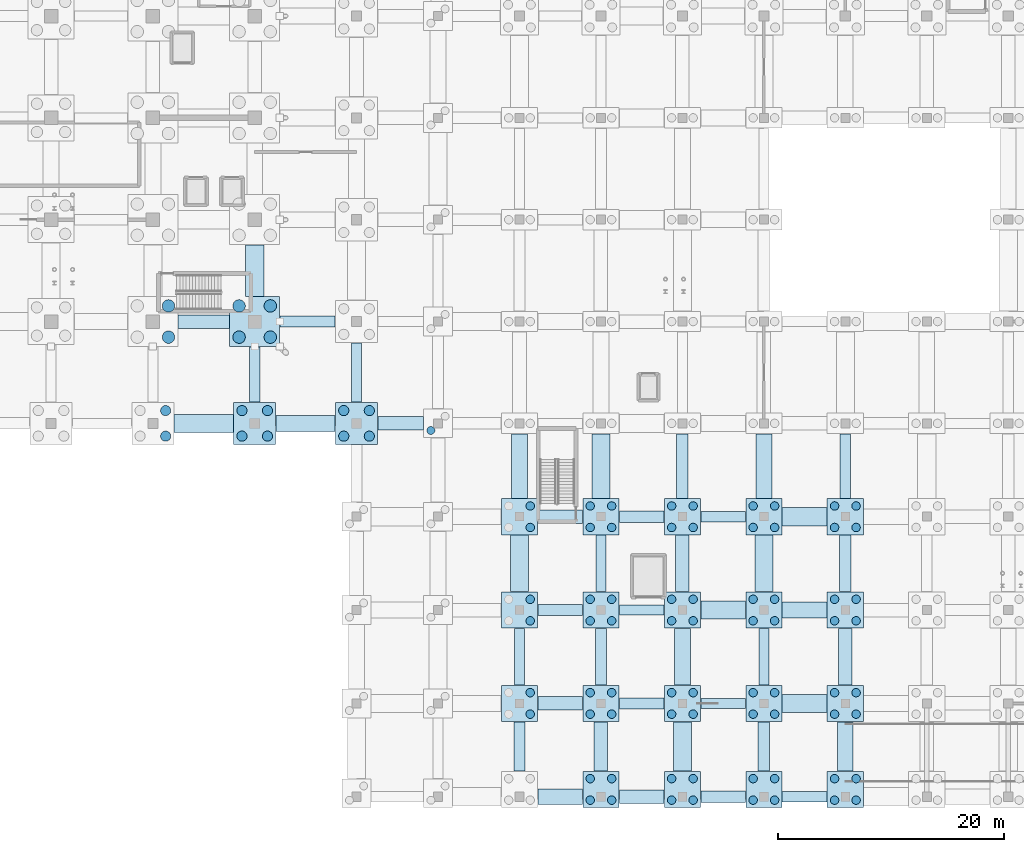
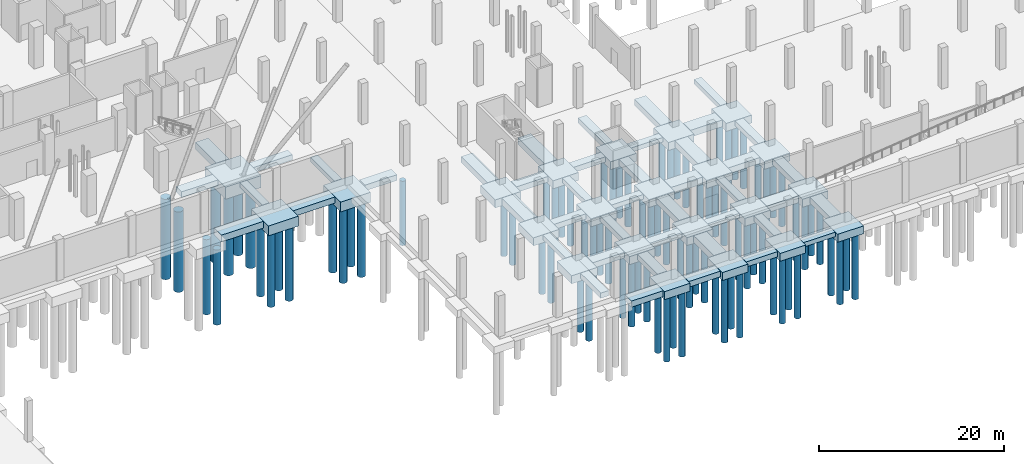
# One storey, part 3 of 42: 87 piles, 66 footings.
"""IFC4 building model written with IfcOpenShell, lengths in metres."""

from ifc_helpers import new_model, si_unit, direction, frame, origin, origin_2d, place, context, subcontext, project, spatial, rectangle, circle, extrude, material, material_profile, profile_set, type_object, element, save


model = new_model("IFC4")

# Units and contexts
model_context = context("Model", 3, precision=1e-05, world=origin(), true_north=direction((0.0, 1.0)))
body_context = subcontext(model_context, "Body", "Model", "MODEL_VIEW")
ifc_project = project(units=[si_unit("LENGTHUNIT", "METRE"), si_unit("AREAUNIT", "SQUARE_METRE"), si_unit("VOLUMEUNIT", "CUBIC_METRE"), si_unit("PLANEANGLEUNIT", "RADIAN"), si_unit("MASSUNIT", "GRAM", prefix="KILO")], contexts=[model_context])

# Site, building, storey
site_placement = place(None, origin())
site = spatial("IfcSite", under=ifc_project, at=site_placement, CompositionType="ELEMENT")
building_placement = place(site_placement, origin())
building = spatial("IfcBuilding", under=site, at=building_placement, Name="Sundgate Opera House", CompositionType="ELEMENT")
storey_placement = place(building_placement, frame((0.0, 0.0, -5.39990234375)))
storey = spatial("IfcBuildingStorey", under=building, at=storey_placement, Name="B01", CompositionType="ELEMENT", Elevation=-5.39990234375)

# Footings
ifc_material_1 = material(Name="Concrete C40/50", Category="concrete")
footing_type_1 = type_object("IfcFootingType", Name="FT-PC-3200x3200x1050", PredefinedType="PILE_CAP", material=ifc_material_1)
for number, where, z_axis, x_axis, name in (
    (1, (95.39990234375, 8.25, -1.85009765625), (0.0, 0.0, 1.0), (1.0, 0.0, 0.0), "Pile Cap F0145"),
    (2, (95.39990234375, 16.5, -1.85009765625), (0.0, 0.0, 1.0), (1.0, 0.0, 0.0), "Pile Cap F0146"),
    (3, (95.39990234375, 24.75, -1.85009765625), (0.0, 0.0, 1.0), (1.0, 0.0, 0.0), "Pile Cap F0147"),
    (4, (102.60009765625, 0.64990234375, -1.85009765625), (0.0, 0.0, 1.0), (1.0, 0.0, 0.0), "Pile Cap F0159"),
    (5, (102.60009765625, 8.25, -1.85009765625), (0.0, 0.0, 1.0), (1.0, 0.0, 0.0), "Pile Cap F0160"),
    (6, (102.60009765625, 16.5, -1.85009765625), (0.0, 0.0, 1.0), (1.0, 0.0, 0.0), "Pile Cap F0161"),
    (7, (102.60009765625, 24.75, -1.85009765625), (0.0, 0.0, 1.0), (1.0, 0.0, 0.0), "Pile Cap F0162"),
    (8, (109.800048828125, 0.64990234375, -1.85009765625), (0.0, 0.0, 1.0), (1.0, 0.0, 0.0), "Pile Cap F0174"),
    (9, (109.800048828125, 8.25, -1.85009765625), (0.0, 0.0, 1.0), (1.0, 0.0, 0.0), "Pile Cap F0175"),
    (10, (109.800048828125, 16.5, -1.85009765625), (0.0, 0.0, 1.0), (1.0, 0.0, 0.0), "Pile Cap F0176"),
    (11, (109.800048828125, 24.75, -1.85009765625), (0.0, 0.0, 1.0), (1.0, 0.0, 0.0), "Pile Cap F0177"),
    (12, (117.0, 0.64990234375, -1.85009765625), (0.0, 0.0, 1.0), (1.0, 0.0, 0.0), "Pile Cap F0189"),
    (13, (117.0, 8.25, -1.85009765625), (0.0, 0.0, 1.0), (1.0, 0.0, 0.0), "Pile Cap F0190"),
    (14, (117.0, 16.5, -1.85009765625), (0.0, 0.0, 1.0), (1.0, 0.0, 0.0), "Pile Cap F0191"),
    (15, (117.0, 24.75, -1.85009765625), (0.0, 0.0, 1.0), (1.0, 0.0, 0.0), "Pile Cap F0192"),
    (16, (124.199951171875, 0.64990234375, -1.85009765625), (0.0, 0.0, 1.0), (1.0, 0.0, 0.0), "Pile Cap F0204"),
    (17, (124.199951171875, 8.25, -1.85009765625), (0.0, 0.0, 1.0), (1.0, 0.0, 0.0), "Pile Cap F0205"),
    (18, (124.199951171875, 16.5, -1.85009765625), (0.0, 0.0, 1.0), (1.0, 0.0, 0.0), "Pile Cap F0206"),
    (19, (124.199951171875, 24.75, -1.85009765625), (0.0, 0.0, 1.0), (1.0, 0.0, 0.0), "Pile Cap F0207"),
):
    element("IfcFooting", number, at=place(storey_placement, frame(where, z_axis=z_axis, x_axis=x_axis)), inside=storey, type_object=footing_type_1, Name=name, PredefinedType="PILE_CAP", context=body_context, shape_type="SweptSolid", body=[
        extrude(rectangle(XDim=3.199951171875, YDim=3.199951171875, at=origin_2d()), origin(), (0.0, 0.0, 1.0), 1.050048828125),
    ])
ifc_material_2 = material(Name="Concrete C40/50", Category="concrete")
footing_type_2 = type_object("IfcFootingType", Name="FT-PC-3720x3720x1300", PredefinedType="PILE_CAP", material=ifc_material_2)
for number, where, z_axis, x_axis, name in (
    (20, (72.0, 33.0, -2.10009765625), (0.0, 0.0, 1.0), (1.0, 0.0, 0.0), "Pile Cap F0103"),
    (21, (81.0, 33.0, -2.10009765625), (0.0, 0.0, 1.0), (1.0, 0.0, 0.0), "Pile Cap F0118"),
):
    element("IfcFooting", number, at=place(storey_placement, frame(where, z_axis=z_axis, x_axis=x_axis)), inside=storey, type_object=footing_type_2, Name=name, PredefinedType="PILE_CAP", context=body_context, shape_type="SweptSolid", body=[
        extrude(rectangle(XDim=3.719970703125, YDim=3.719970703125, at=origin_2d()), origin(), (0.0, 0.0, 1.0), 1.300048828125),
    ])
ifc_material_3 = material(Name="Concrete C40/50", Category="concrete")
footing_type_3 = type_object("IfcFootingType", Name="FT-PC-4420x4420x1600", PredefinedType="PILE_CAP", material=ifc_material_3)
footing_1_placement = place(storey_placement, frame((72.0, 42.0, -2.400146484375), z_axis=(0.0, 0.0, 1.0), x_axis=(1.0, 0.0, 0.0)))
element("IfcFooting", 22, at=footing_1_placement, inside=storey, type_object=footing_type_3, Name="Pile Cap F0104", PredefinedType="PILE_CAP", context=body_context, shape_type="SweptSolid", body=[
    extrude(rectangle(XDim=4.419921875, YDim=4.419921875, at=origin_2d()), origin(), (0.0, 0.0, 1.0), 1.60009765625),
])
ifc_material_4 = material(Name="Concrete C35/45", Category="concrete")
footing_type_4 = type_object("IfcFootingType", Name="FT-STR-1000x700", PredefinedType="STRIP_FOOTING", material=ifc_material_4)
footing_2_placement = place(storey_placement, frame((95.39990234375, 4.449951171875, -1.5), z_axis=(0.0, 0.0, 1.0), x_axis=(1.0, 0.0, 0.0)))
element("IfcFooting", 23, at=footing_2_placement, inside=storey, type_object=footing_type_4, Name="Strip Footing F0422", PredefinedType="STRIP_FOOTING", context=body_context, shape_type="SweptSolid", body=[
    extrude(rectangle(XDim=1.0, YDim=4.35009765625, at=origin_2d()), origin(), (0.0, 0.0, 1.0), 0.699951171875),
])
footing_3_placement = place(storey_placement, frame((102.60009765625, 12.375, -1.5), z_axis=(0.0, 0.0, 1.0), x_axis=(1.0, 0.0, 0.0)))
element("IfcFooting", 24, at=footing_3_placement, inside=storey, type_object=footing_type_4, Name="Strip Footing F0437", PredefinedType="STRIP_FOOTING", context=body_context, shape_type="SweptSolid", body=[
    extrude(rectangle(XDim=1.0, YDim=5.0, at=origin_2d()), origin(), (0.0, 0.0, 1.0), 0.699951171875),
])
footing_4_placement = place(storey_placement, frame((109.800048828125, 29.22509765625, -1.5), z_axis=(0.0, 0.0, 1.0), x_axis=(1.0, 0.0, 0.0)))
element("IfcFooting", 25, at=footing_4_placement, inside=storey, type_object=footing_type_4, Name="Strip Footing F0452", PredefinedType="STRIP_FOOTING", context=body_context, shape_type="SweptSolid", body=[
    extrude(rectangle(XDim=1.0, YDim=5.699951171875, at=origin_2d()), origin(), (0.0, 0.0, 1.0), 0.699951171875),
])
footing_5_placement = place(storey_placement, frame((117.0, 4.449951171875, -1.5), z_axis=(0.0, 0.0, 1.0), x_axis=(1.0, 0.0, 0.0)))
element("IfcFooting", 26, at=footing_5_placement, inside=storey, type_object=footing_type_4, Name="Strip Footing F0462", PredefinedType="STRIP_FOOTING", context=body_context, shape_type="SweptSolid", body=[
    extrude(rectangle(XDim=1.0, YDim=4.35009765625, at=origin_2d()), origin(), (0.0, 0.0, 1.0), 0.699951171875),
])
footing_6_placement = place(storey_placement, frame((124.199951171875, 20.625, -1.5), z_axis=(0.0, 0.0, 1.0), x_axis=(1.0, 0.0, 0.0)))
element("IfcFooting", 27, at=footing_6_placement, inside=storey, type_object=footing_type_4, Name="Strip Footing F0477", PredefinedType="STRIP_FOOTING", context=body_context, shape_type="SweptSolid", body=[
    extrude(rectangle(XDim=1.0, YDim=5.0, at=origin_2d()), origin(), (0.0, 0.0, 1.0), 0.699951171875),
])
for number, where, z_axis, x_axis, name in (
    (28, (113.39990234375, 0.0, -1.5), (0.0, 0.0, 1.0), (1.0, 0.0, 0.0), "Strip Footing F0547"),
    (29, (106.199951171875, 8.25, -1.5), (0.0, 0.0, 1.0), (1.0, 0.0, 0.0), "Strip Footing F0562"),
    (30, (99.0, 16.5, -1.5), (0.0, 0.0, 1.0), (1.0, 0.0, 0.0), "Strip Footing F0577"),
    (31, (106.199951171875, 24.75, -1.5), (0.0, 0.0, 1.0), (1.0, 0.0, 0.0), "Strip Footing F0592"),
):
    element("IfcFooting", number, at=place(storey_placement, frame(where, z_axis=z_axis, x_axis=x_axis)), inside=storey, type_object=footing_type_4, Name=name, PredefinedType="STRIP_FOOTING", context=body_context, shape_type="SweptSolid", body=[
        extrude(rectangle(XDim=3.949951171875, YDim=1.0, at=origin_2d()), origin(), (0.0, 0.0, 1.0), 0.699951171875),
    ])
footing_7_placement = place(storey_placement, frame((76.675048828125, 42.0, -1.5), z_axis=(0.0, 0.0, 1.0), x_axis=(1.0, 0.0, 0.0)))
element("IfcFooting", 32, at=footing_7_placement, inside=storey, type_object=footing_type_4, Name="Strip Footing F0632", PredefinedType="STRIP_FOOTING", context=body_context, shape_type="SweptSolid", body=[
    extrude(rectangle(XDim=4.8798828125, YDim=1.0, at=origin_2d()), origin(), (0.0, 0.0, 1.0), 0.699951171875),
])
ifc_material_5 = material(Name="Concrete C35/45", Category="concrete")
footing_type_5 = type_object("IfcFootingType", Name="FT-STR-1200x750", PredefinedType="STRIP_FOOTING", material=ifc_material_5)
footing_8_placement = place(storey_placement, frame((102.60009765625, 4.449951171875, -1.550048828125), z_axis=(0.0, 0.0, 1.0), x_axis=(1.0, 0.0, 0.0)))
element("IfcFooting", 33, at=footing_8_placement, inside=storey, type_object=footing_type_5, Name="Strip Footing F0436", PredefinedType="STRIP_FOOTING", context=body_context, shape_type="SweptSolid", body=[
    extrude(rectangle(XDim=1.199951171875, YDim=4.35009765625, at=origin_2d()), origin(), (0.0, 0.0, 1.0), 0.75),
])
for number, where, z_axis, x_axis, name in (
    (34, (109.800048828125, 20.625, -1.550048828125), (0.0, 0.0, 1.0), (1.0, 0.0, 0.0), "Strip Footing F0451"),
    (35, (124.199951171875, 12.375, -1.550048828125), (0.0, 0.0, 1.0), (1.0, 0.0, 0.0), "Strip Footing F0476"),
):
    element("IfcFooting", number, at=place(storey_placement, frame(where, z_axis=z_axis, x_axis=x_axis)), inside=storey, type_object=footing_type_5, Name=name, PredefinedType="STRIP_FOOTING", context=body_context, shape_type="SweptSolid", body=[
        extrude(rectangle(XDim=1.199951171875, YDim=5.0, at=origin_2d()), origin(), (0.0, 0.0, 1.0), 0.75),
    ])
for number, where, z_axis, x_axis, name in (
    (36, (106.199951171875, 0.0, -1.550048828125), (0.0, 0.0, 1.0), (1.0, 0.0, 0.0), "Strip Footing F0546"),
    (37, (99.0, 8.25, -1.550048828125), (0.0, 0.0, 1.0), (1.0, 0.0, 0.0), "Strip Footing F0561"),
    (38, (99.0, 24.75, -1.550048828125), (0.0, 0.0, 1.0), (1.0, 0.0, 0.0), "Strip Footing F0591"),
):
    element("IfcFooting", number, at=place(storey_placement, frame(where, z_axis=z_axis, x_axis=x_axis)), inside=storey, type_object=footing_type_5, Name=name, PredefinedType="STRIP_FOOTING", context=body_context, shape_type="SweptSolid", body=[
        extrude(rectangle(XDim=3.949951171875, YDim=1.199951171875, at=origin_2d()), origin(), (0.0, 0.0, 1.0), 0.75),
    ])
footing_9_placement = place(storey_placement, frame((84.89501953125, 33.0, -1.400146484375), z_axis=(0.0, 0.0, 1.0), x_axis=(1.0, 0.0, 0.0)))
element("IfcFooting", 39, at=footing_9_placement, inside=storey, type_object=footing_type_5, Name="Strip Footing F0611", PredefinedType="STRIP_FOOTING", context=body_context, shape_type="SweptSolid", body=[
    extrude(rectangle(XDim=4.02001953125, YDim=1.199951171875, at=origin_2d()), origin(), (0.0, 0.0, 1.0), 0.75),
])
footing_10_placement = place(storey_placement, frame((67.5, 42.0, -1.550048828125), z_axis=(0.0, 0.0, 1.0), x_axis=(1.0, 0.0, 0.0)))
element("IfcFooting", 40, at=footing_10_placement, inside=storey, type_object=footing_type_5, Name="Strip Footing F0631", PredefinedType="STRIP_FOOTING", context=body_context, shape_type="SweptSolid", body=[
    extrude(rectangle(XDim=4.530029296875, YDim=1.199951171875, at=origin_2d()), origin(), (0.0, 0.0, 1.0), 0.75),
])
ifc_material_6 = material(Name="Concrete C35/45", Category="concrete")
footing_type_6 = type_object("IfcFootingType", Name="FT-STR-1400x800", PredefinedType="STRIP_FOOTING", material=ifc_material_6)
footing_11_placement = place(storey_placement, frame((95.39990234375, 29.22509765625, -1.60009765625), z_axis=(0.0, 0.0, 1.0), x_axis=(1.0, 0.0, 0.0)))
element("IfcFooting", 41, at=footing_11_placement, inside=storey, type_object=footing_type_6, Name="Strip Footing F0425", PredefinedType="STRIP_FOOTING", context=body_context, shape_type="SweptSolid", body=[
    extrude(rectangle(XDim=1.39990234375, YDim=5.699951171875, at=origin_2d()), origin(), (0.0, 0.0, 1.0), 0.800048828125),
])
footing_12_placement = place(storey_placement, frame((109.800048828125, 12.375, -1.60009765625), z_axis=(0.0, 0.0, 1.0), x_axis=(1.0, 0.0, 0.0)))
element("IfcFooting", 42, at=footing_12_placement, inside=storey, type_object=footing_type_6, Name="Strip Footing F0450", PredefinedType="STRIP_FOOTING", context=body_context, shape_type="SweptSolid", body=[
    extrude(rectangle(XDim=1.39990234375, YDim=5.0, at=origin_2d()), origin(), (0.0, 0.0, 1.0), 0.800048828125),
])
footing_13_placement = place(storey_placement, frame((117.0, 29.22509765625, -1.60009765625), z_axis=(0.0, 0.0, 1.0), x_axis=(1.0, 0.0, 0.0)))
element("IfcFooting", 43, at=footing_13_placement, inside=storey, type_object=footing_type_6, Name="Strip Footing F0465", PredefinedType="STRIP_FOOTING", context=body_context, shape_type="SweptSolid", body=[
    extrude(rectangle(XDim=1.39990234375, YDim=5.699951171875, at=origin_2d()), origin(), (0.0, 0.0, 1.0), 0.800048828125),
])
footing_14_placement = place(storey_placement, frame((124.199951171875, 4.449951171875, -1.60009765625), z_axis=(0.0, 0.0, 1.0), x_axis=(1.0, 0.0, 0.0)))
element("IfcFooting", 44, at=footing_14_placement, inside=storey, type_object=footing_type_6, Name="Strip Footing F0475", PredefinedType="STRIP_FOOTING", context=body_context, shape_type="SweptSolid", body=[
    extrude(rectangle(XDim=1.39990234375, YDim=4.35009765625, at=origin_2d()), origin(), (0.0, 0.0, 1.0), 0.800048828125),
])
for number, where, z_axis, x_axis, name in (
    (45, (99.0, 0.0, -1.60009765625), (0.0, 0.0, 1.0), (1.0, 0.0, 0.0), "Strip Footing F0545"),
    (46, (120.60009765625, 16.5, -1.60009765625), (0.0, 0.0, 1.0), (1.0, 0.0, 0.0), "Strip Footing F0580"),
):
    element("IfcFooting", number, at=place(storey_placement, frame(where, z_axis=z_axis, x_axis=x_axis)), inside=storey, type_object=footing_type_6, Name=name, PredefinedType="STRIP_FOOTING", context=body_context, shape_type="SweptSolid", body=[
        extrude(rectangle(XDim=3.949951171875, YDim=1.39990234375, at=origin_2d()), origin(), (0.0, 0.0, 1.0), 0.800048828125),
    ])
footing_15_placement = place(storey_placement, frame((76.5, 33.0, -1.60009765625), z_axis=(0.0, 0.0, 1.0), x_axis=(1.0, 0.0, 0.0)))
element("IfcFooting", 47, at=footing_15_placement, inside=storey, type_object=footing_type_6, Name="Strip Footing F0610", PredefinedType="STRIP_FOOTING", context=body_context, shape_type="SweptSolid", body=[
    extrude(rectangle(XDim=5.22998046875, YDim=1.39990234375, at=origin_2d()), origin(), (0.0, 0.0, 1.0), 0.800048828125),
])
ifc_material_7 = material(Name="Concrete C35/45", Category="concrete")
footing_type_7 = type_object("IfcFootingType", Name="FT-STR-1600x900", PredefinedType="STRIP_FOOTING", material=ifc_material_7)
footing_16_placement = place(storey_placement, frame((72.0, 46.5, -1.699951171875), z_axis=(0.0, 0.0, 1.0), x_axis=(1.0, 0.0, 0.0)))
element("IfcFooting", 48, at=footing_16_placement, inside=storey, type_object=footing_type_7, Name="Strip Footing F0389", PredefinedType="STRIP_FOOTING", context=body_context, shape_type="SweptSolid", body=[
    extrude(rectangle(XDim=1.60009765625, YDim=4.530029296875, at=origin_2d()), origin(), (0.0, 0.0, 1.0), 0.89990234375),
])
footing_17_placement = place(storey_placement, frame((95.39990234375, 20.625, -1.699951171875), z_axis=(0.0, 0.0, 1.0), x_axis=(1.0, 0.0, 0.0)))
element("IfcFooting", 49, at=footing_17_placement, inside=storey, type_object=footing_type_7, Name="Strip Footing F0424", PredefinedType="STRIP_FOOTING", context=body_context, shape_type="SweptSolid", body=[
    extrude(rectangle(XDim=1.60009765625, YDim=5.0, at=origin_2d()), origin(), (0.0, 0.0, 1.0), 0.89990234375),
])
footing_18_placement = place(storey_placement, frame((102.60009765625, 29.22509765625, -1.699951171875), z_axis=(0.0, 0.0, 1.0), x_axis=(1.0, 0.0, 0.0)))
element("IfcFooting", 50, at=footing_18_placement, inside=storey, type_object=footing_type_7, Name="Strip Footing F0439", PredefinedType="STRIP_FOOTING", context=body_context, shape_type="SweptSolid", body=[
    extrude(rectangle(XDim=1.60009765625, YDim=5.699951171875, at=origin_2d()), origin(), (0.0, 0.0, 1.0), 0.89990234375),
])
footing_19_placement = place(storey_placement, frame((109.800048828125, 4.449951171875, -1.699951171875), z_axis=(0.0, 0.0, 1.0), x_axis=(1.0, 0.0, 0.0)))
element("IfcFooting", 51, at=footing_19_placement, inside=storey, type_object=footing_type_7, Name="Strip Footing F0449", PredefinedType="STRIP_FOOTING", context=body_context, shape_type="SweptSolid", body=[
    extrude(rectangle(XDim=1.60009765625, YDim=4.35009765625, at=origin_2d()), origin(), (0.0, 0.0, 1.0), 0.89990234375),
])
footing_20_placement = place(storey_placement, frame((117.0, 20.625, -1.699951171875), z_axis=(0.0, 0.0, 1.0), x_axis=(1.0, 0.0, 0.0)))
element("IfcFooting", 52, at=footing_20_placement, inside=storey, type_object=footing_type_7, Name="Strip Footing F0464", PredefinedType="STRIP_FOOTING", context=body_context, shape_type="SweptSolid", body=[
    extrude(rectangle(XDim=1.60009765625, YDim=5.0, at=origin_2d()), origin(), (0.0, 0.0, 1.0), 0.89990234375),
])
for number, where, z_axis, x_axis, name in (
    (53, (120.60009765625, 8.25, -1.699951171875), (0.0, 0.0, 1.0), (1.0, 0.0, 0.0), "Strip Footing F0564"),
    (54, (113.39990234375, 16.5, -1.699951171875), (0.0, 0.0, 1.0), (1.0, 0.0, 0.0), "Strip Footing F0579"),
    (55, (120.60009765625, 24.75, -1.699951171875), (0.0, 0.0, 1.0), (1.0, 0.0, 0.0), "Strip Footing F0594"),
):
    element("IfcFooting", number, at=place(storey_placement, frame(where, z_axis=z_axis, x_axis=x_axis)), inside=storey, type_object=footing_type_7, Name=name, PredefinedType="STRIP_FOOTING", context=body_context, shape_type="SweptSolid", body=[
        extrude(rectangle(XDim=3.949951171875, YDim=1.60009765625, at=origin_2d()), origin(), (0.0, 0.0, 1.0), 0.89990234375),
    ])
footing_21_placement = place(storey_placement, frame((67.5, 33.0, -1.699951171875), z_axis=(0.0, 0.0, 1.0), x_axis=(1.0, 0.0, 0.0)))
element("IfcFooting", 56, at=footing_21_placement, inside=storey, type_object=footing_type_7, Name="Strip Footing F0609", PredefinedType="STRIP_FOOTING", context=body_context, shape_type="SweptSolid", body=[
    extrude(rectangle(XDim=5.22998046875, YDim=1.60009765625, at=origin_2d()), origin(), (0.0, 0.0, 1.0), 0.89990234375),
])
ifc_material_8 = material(Name="Concrete C35/45", Category="concrete")
footing_type_8 = type_object("IfcFootingType", Name="FT-STR-900x600", PredefinedType="STRIP_FOOTING", material=ifc_material_8)
footing_22_placement = place(storey_placement, frame((72.0, 37.324951171875, -1.400146484375), z_axis=(0.0, 0.0, 1.0), x_axis=(1.0, 0.0, 0.0)))
element("IfcFooting", 57, at=footing_22_placement, inside=storey, type_object=footing_type_8, Name="Strip Footing F0388", PredefinedType="STRIP_FOOTING", context=body_context, shape_type="SweptSolid", body=[
    extrude(rectangle(XDim=0.89990234375, YDim=4.8798828125, at=origin_2d()), origin(), (0.0, 0.0, 1.0), 0.60009765625),
])
footing_23_placement = place(storey_placement, frame((81.0, 37.5, -1.400146484375), z_axis=(0.0, 0.0, 1.0), x_axis=(1.0, 0.0, 0.0)))
element("IfcFooting", 58, at=footing_23_placement, inside=storey, type_object=footing_type_8, Name="Strip Footing F0398", PredefinedType="STRIP_FOOTING", context=body_context, shape_type="SweptSolid", body=[
    extrude(rectangle(XDim=0.89990234375, YDim=5.22998046875, at=origin_2d()), origin(), (0.0, 0.0, 1.0), 0.60009765625),
])
for number, where, z_axis, x_axis, name in (
    (59, (95.39990234375, 12.375, -1.400146484375), (0.0, 0.0, 1.0), (1.0, 0.0, 0.0), "Strip Footing F0423"),
    (60, (102.60009765625, 20.625, -1.400146484375), (0.0, 0.0, 1.0), (1.0, 0.0, 0.0), "Strip Footing F0438"),
    (61, (117.0, 12.375, -1.400146484375), (0.0, 0.0, 1.0), (1.0, 0.0, 0.0), "Strip Footing F0463"),
):
    element("IfcFooting", number, at=place(storey_placement, frame(where, z_axis=z_axis, x_axis=x_axis)), inside=storey, type_object=footing_type_8, Name=name, PredefinedType="STRIP_FOOTING", context=body_context, shape_type="SweptSolid", body=[
        extrude(rectangle(XDim=0.89990234375, YDim=5.0, at=origin_2d()), origin(), (0.0, 0.0, 1.0), 0.60009765625),
    ])
footing_24_placement = place(storey_placement, frame((124.199951171875, 29.22509765625, -1.400146484375), z_axis=(0.0, 0.0, 1.0), x_axis=(1.0, 0.0, 0.0)))
element("IfcFooting", 62, at=footing_24_placement, inside=storey, type_object=footing_type_8, Name="Strip Footing F0478", PredefinedType="STRIP_FOOTING", context=body_context, shape_type="SweptSolid", body=[
    extrude(rectangle(XDim=0.89990234375, YDim=5.699951171875, at=origin_2d()), origin(), (0.0, 0.0, 1.0), 0.60009765625),
])
for number, where, z_axis, x_axis, name in (
    (63, (120.60009765625, 0.0, -1.400146484375), (0.0, 0.0, 1.0), (1.0, 0.0, 0.0), "Strip Footing F0548"),
    (64, (113.39990234375, 8.25, -1.400146484375), (0.0, 0.0, 1.0), (1.0, 0.0, 0.0), "Strip Footing F0563"),
    (65, (106.199951171875, 16.5, -1.400146484375), (0.0, 0.0, 1.0), (1.0, 0.0, 0.0), "Strip Footing F0578"),
    (66, (113.39990234375, 24.75, -1.400146484375), (0.0, 0.0, 1.0), (1.0, 0.0, 0.0), "Strip Footing F0593"),
):
    element("IfcFooting", number, at=place(storey_placement, frame(where, z_axis=z_axis, x_axis=x_axis)), inside=storey, type_object=footing_type_8, Name=name, PredefinedType="STRIP_FOOTING", context=body_context, shape_type="SweptSolid", body=[
        extrude(rectangle(XDim=3.949951171875, YDim=0.89990234375, at=origin_2d()), origin(), (0.0, 0.0, 1.0), 0.60009765625),
    ])

# Piles
ifc_material_9 = material(Name="Concrete C40/50", Category="concrete")
ifc_material_profile_1 = material_profile(ifc_material_9, circle(Radius=0.550048828125, at=origin_2d()), Name="PILE D1100")
ifc_profile_set_1 = profile_set([ifc_material_profile_1], Name="Concrete C40/50")
pile_type_1 = type_object("IfcPileType", Name="PL-1100", PredefinedType="BORED", material=ifc_profile_set_1)
for number, where, z_axis, x_axis, name in (
    (67, (64.3798828125, 40.6201171875, -2.300048828125), (0.0, 0.0, -1.0), (1.0, 0.0, 0.0), "Rock-Socketed Pile P0245"),
    (68, (64.3798828125, 43.3798828125, -2.300048828125), (0.0, 0.0, -1.0), (1.0, 0.0, 0.0), "Rock-Socketed Pile P0246"),
    (69, (70.6201171875, 40.6201171875, -2.300048828125), (0.0, 0.0, -1.0), (1.0, 0.0, 0.0), "Rock-Socketed Pile P0279"),
    (70, (70.6201171875, 43.3798828125, -2.300048828125), (0.0, 0.0, -1.0), (1.0, 0.0, 0.0), "Rock-Socketed Pile P0280"),
    (71, (73.3798828125, 40.6201171875, -2.300048828125), (0.0, 0.0, -1.0), (1.0, 0.0, 0.0), "Rock-Socketed Pile P0281"),
    (72, (73.3798828125, 43.3798828125, -2.300048828125), (0.0, 0.0, -1.0), (1.0, 0.0, 0.0), "Rock-Socketed Pile P0282"),
):
    element("IfcPile", number, at=place(storey_placement, frame(where, z_axis=z_axis, x_axis=x_axis)), inside=storey, type_object=pile_type_1, Name=name, PredefinedType="BORED", context=body_context, shape_type="SweptSolid", body=[
        extrude(circle(Radius=0.550048828125, at=origin_2d()), origin(), (0.0, 0.0, 1.0), 10.60009765625),
    ])
ifc_material_10 = material(Name="Concrete C40/50", Category="concrete")
ifc_material_profile_2 = material_profile(ifc_material_10, circle(Radius=0.35009765625, at=origin_2d()), Name="PILE D700")
ifc_profile_set_2 = profile_set([ifc_material_profile_2], Name="Concrete C40/50")
pile_type_2 = type_object("IfcPileType", Name="PL-700", PredefinedType="BORED", material=ifc_profile_set_2)
pile_placement = place(storey_placement, frame((87.570068359375, 32.3701171875, -1.5), z_axis=(0.0, 0.0, -1.0), x_axis=(1.0, 0.0, 0.0)))
element("IfcPile", 73, at=pile_placement, inside=storey, type_object=pile_type_2, Name="Rock-Socketed Pile P0363", PredefinedType="BORED", context=body_context, shape_type="SweptSolid", body=[
    extrude(circle(Radius=0.35009765625, at=origin_2d()), origin(), (0.0, 0.0, 1.0), 8.5),
])
ifc_material_11 = material(Name="Concrete C40/50", Category="concrete")
ifc_material_profile_3 = material_profile(ifc_material_11, circle(Radius=0.375, at=origin_2d()), Name="PILE D750")
ifc_profile_set_3 = profile_set([ifc_material_profile_3], Name="Concrete C40/50")
pile_type_3 = type_object("IfcPileType", Name="PL-750", PredefinedType="BORED", material=ifc_profile_set_3)
for number, where, z_axis, x_axis, name in (
    (74, (96.35009765625, 7.300048828125, -1.75), (0.0, 0.0, -1.0), (1.0, 0.0, 0.0), "Rock-Socketed Pile P0391"),
    (75, (96.35009765625, 9.199951171875, -1.75), (0.0, 0.0, -1.0), (1.0, 0.0, 0.0), "Rock-Socketed Pile P0392"),
    (76, (96.35009765625, 15.550048828125, -1.75), (0.0, 0.0, -1.0), (1.0, 0.0, 0.0), "Rock-Socketed Pile P0395"),
    (77, (96.35009765625, 17.449951171875, -1.75), (0.0, 0.0, -1.0), (1.0, 0.0, 0.0), "Rock-Socketed Pile P0396"),
    (78, (96.35009765625, 23.800048828125, -1.75), (0.0, 0.0, -1.0), (1.0, 0.0, 0.0), "Rock-Socketed Pile P0399"),
    (79, (96.35009765625, 25.699951171875, -1.75), (0.0, 0.0, -1.0), (1.0, 0.0, 0.0), "Rock-Socketed Pile P0400"),
    (80, (101.64990234375, -0.300048828125, -1.75), (0.0, 0.0, -1.0), (1.0, 0.0, 0.0), "Rock-Socketed Pile P0433"),
    (81, (101.64990234375, 1.60009765625, -1.75), (0.0, 0.0, -1.0), (1.0, 0.0, 0.0), "Rock-Socketed Pile P0434"),
    (82, (103.550048828125, -0.300048828125, -1.75), (0.0, 0.0, -1.0), (1.0, 0.0, 0.0), "Rock-Socketed Pile P0435"),
    (83, (103.550048828125, 1.60009765625, -1.75), (0.0, 0.0, -1.0), (1.0, 0.0, 0.0), "Rock-Socketed Pile P0436"),
    (84, (101.64990234375, 7.300048828125, -1.75), (0.0, 0.0, -1.0), (1.0, 0.0, 0.0), "Rock-Socketed Pile P0437"),
    (85, (101.64990234375, 9.199951171875, -1.75), (0.0, 0.0, -1.0), (1.0, 0.0, 0.0), "Rock-Socketed Pile P0438"),
    (86, (103.550048828125, 7.300048828125, -1.75), (0.0, 0.0, -1.0), (1.0, 0.0, 0.0), "Rock-Socketed Pile P0439"),
    (87, (103.550048828125, 9.199951171875, -1.75), (0.0, 0.0, -1.0), (1.0, 0.0, 0.0), "Rock-Socketed Pile P0440"),
    (88, (101.64990234375, 15.550048828125, -1.75), (0.0, 0.0, -1.0), (1.0, 0.0, 0.0), "Rock-Socketed Pile P0441"),
    (89, (101.64990234375, 17.449951171875, -1.75), (0.0, 0.0, -1.0), (1.0, 0.0, 0.0), "Rock-Socketed Pile P0442"),
    (90, (103.550048828125, 15.550048828125, -1.75), (0.0, 0.0, -1.0), (1.0, 0.0, 0.0), "Rock-Socketed Pile P0443"),
    (91, (103.550048828125, 17.449951171875, -1.75), (0.0, 0.0, -1.0), (1.0, 0.0, 0.0), "Rock-Socketed Pile P0444"),
    (92, (101.64990234375, 23.800048828125, -1.75), (0.0, 0.0, -1.0), (1.0, 0.0, 0.0), "Rock-Socketed Pile P0445"),
    (93, (101.64990234375, 25.699951171875, -1.75), (0.0, 0.0, -1.0), (1.0, 0.0, 0.0), "Rock-Socketed Pile P0446"),
    (94, (103.550048828125, 23.800048828125, -1.75), (0.0, 0.0, -1.0), (1.0, 0.0, 0.0), "Rock-Socketed Pile P0447"),
    (95, (103.550048828125, 25.699951171875, -1.75), (0.0, 0.0, -1.0), (1.0, 0.0, 0.0), "Rock-Socketed Pile P0448"),
    (96, (108.85009765625, -0.300048828125, -1.75), (0.0, 0.0, -1.0), (1.0, 0.0, 0.0), "Rock-Socketed Pile P0481"),
    (97, (108.85009765625, 1.60009765625, -1.75), (0.0, 0.0, -1.0), (1.0, 0.0, 0.0), "Rock-Socketed Pile P0482"),
    (98, (110.75, -0.300048828125, -1.75), (0.0, 0.0, -1.0), (1.0, 0.0, 0.0), "Rock-Socketed Pile P0483"),
    (99, (110.75, 1.60009765625, -1.75), (0.0, 0.0, -1.0), (1.0, 0.0, 0.0), "Rock-Socketed Pile P0484"),
    (100, (108.85009765625, 7.300048828125, -1.75), (0.0, 0.0, -1.0), (1.0, 0.0, 0.0), "Rock-Socketed Pile P0485"),
    (101, (108.85009765625, 9.199951171875, -1.75), (0.0, 0.0, -1.0), (1.0, 0.0, 0.0), "Rock-Socketed Pile P0486"),
    (102, (110.75, 7.300048828125, -1.75), (0.0, 0.0, -1.0), (1.0, 0.0, 0.0), "Rock-Socketed Pile P0487"),
    (103, (110.75, 9.199951171875, -1.75), (0.0, 0.0, -1.0), (1.0, 0.0, 0.0), "Rock-Socketed Pile P0488"),
    (104, (108.85009765625, 15.550048828125, -1.75), (0.0, 0.0, -1.0), (1.0, 0.0, 0.0), "Rock-Socketed Pile P0489"),
    (105, (108.85009765625, 17.449951171875, -1.75), (0.0, 0.0, -1.0), (1.0, 0.0, 0.0), "Rock-Socketed Pile P0490"),
    (106, (110.75, 15.550048828125, -1.75), (0.0, 0.0, -1.0), (1.0, 0.0, 0.0), "Rock-Socketed Pile P0491"),
    (107, (110.75, 17.449951171875, -1.75), (0.0, 0.0, -1.0), (1.0, 0.0, 0.0), "Rock-Socketed Pile P0492"),
    (108, (108.85009765625, 23.800048828125, -1.75), (0.0, 0.0, -1.0), (1.0, 0.0, 0.0), "Rock-Socketed Pile P0493"),
    (109, (108.85009765625, 25.699951171875, -1.75), (0.0, 0.0, -1.0), (1.0, 0.0, 0.0), "Rock-Socketed Pile P0494"),
    (110, (110.75, 23.800048828125, -1.75), (0.0, 0.0, -1.0), (1.0, 0.0, 0.0), "Rock-Socketed Pile P0495"),
    (111, (110.75, 25.699951171875, -1.75), (0.0, 0.0, -1.0), (1.0, 0.0, 0.0), "Rock-Socketed Pile P0496"),
    (112, (116.050048828125, -0.300048828125, -1.75), (0.0, 0.0, -1.0), (1.0, 0.0, 0.0), "Rock-Socketed Pile P0529"),
    (113, (116.050048828125, 1.60009765625, -1.75), (0.0, 0.0, -1.0), (1.0, 0.0, 0.0), "Rock-Socketed Pile P0530"),
    (114, (117.949951171875, -0.300048828125, -1.75), (0.0, 0.0, -1.0), (1.0, 0.0, 0.0), "Rock-Socketed Pile P0531"),
    (115, (117.949951171875, 1.60009765625, -1.75), (0.0, 0.0, -1.0), (1.0, 0.0, 0.0), "Rock-Socketed Pile P0532"),
    (116, (116.050048828125, 7.300048828125, -1.75), (0.0, 0.0, -1.0), (1.0, 0.0, 0.0), "Rock-Socketed Pile P0533"),
    (117, (116.050048828125, 9.199951171875, -1.75), (0.0, 0.0, -1.0), (1.0, 0.0, 0.0), "Rock-Socketed Pile P0534"),
    (118, (117.949951171875, 7.300048828125, -1.75), (0.0, 0.0, -1.0), (1.0, 0.0, 0.0), "Rock-Socketed Pile P0535"),
    (119, (117.949951171875, 9.199951171875, -1.75), (0.0, 0.0, -1.0), (1.0, 0.0, 0.0), "Rock-Socketed Pile P0536"),
    (120, (116.050048828125, 15.550048828125, -1.75), (0.0, 0.0, -1.0), (1.0, 0.0, 0.0), "Rock-Socketed Pile P0537"),
    (121, (116.050048828125, 17.449951171875, -1.75), (0.0, 0.0, -1.0), (1.0, 0.0, 0.0), "Rock-Socketed Pile P0538"),
    (122, (117.949951171875, 15.550048828125, -1.75), (0.0, 0.0, -1.0), (1.0, 0.0, 0.0), "Rock-Socketed Pile P0539"),
    (123, (117.949951171875, 17.449951171875, -1.75), (0.0, 0.0, -1.0), (1.0, 0.0, 0.0), "Rock-Socketed Pile P0540"),
    (124, (116.050048828125, 23.800048828125, -1.75), (0.0, 0.0, -1.0), (1.0, 0.0, 0.0), "Rock-Socketed Pile P0541"),
    (125, (116.050048828125, 25.699951171875, -1.75), (0.0, 0.0, -1.0), (1.0, 0.0, 0.0), "Rock-Socketed Pile P0542"),
    (126, (117.949951171875, 23.800048828125, -1.75), (0.0, 0.0, -1.0), (1.0, 0.0, 0.0), "Rock-Socketed Pile P0543"),
    (127, (117.949951171875, 25.699951171875, -1.75), (0.0, 0.0, -1.0), (1.0, 0.0, 0.0), "Rock-Socketed Pile P0544"),
    (128, (123.25, -0.300048828125, -1.75), (0.0, 0.0, -1.0), (1.0, 0.0, 0.0), "Rock-Socketed Pile P0577"),
    (129, (123.25, 1.60009765625, -1.75), (0.0, 0.0, -1.0), (1.0, 0.0, 0.0), "Rock-Socketed Pile P0578"),
    (130, (125.14990234375, -0.300048828125, -1.75), (0.0, 0.0, -1.0), (1.0, 0.0, 0.0), "Rock-Socketed Pile P0579"),
    (131, (125.14990234375, 1.60009765625, -1.75), (0.0, 0.0, -1.0), (1.0, 0.0, 0.0), "Rock-Socketed Pile P0580"),
    (132, (123.25, 7.300048828125, -1.75), (0.0, 0.0, -1.0), (1.0, 0.0, 0.0), "Rock-Socketed Pile P0581"),
    (133, (123.25, 9.199951171875, -1.75), (0.0, 0.0, -1.0), (1.0, 0.0, 0.0), "Rock-Socketed Pile P0582"),
    (134, (125.14990234375, 7.300048828125, -1.75), (0.0, 0.0, -1.0), (1.0, 0.0, 0.0), "Rock-Socketed Pile P0583"),
    (135, (125.14990234375, 9.199951171875, -1.75), (0.0, 0.0, -1.0), (1.0, 0.0, 0.0), "Rock-Socketed Pile P0584"),
    (136, (123.25, 15.550048828125, -1.75), (0.0, 0.0, -1.0), (1.0, 0.0, 0.0), "Rock-Socketed Pile P0585"),
    (137, (123.25, 17.449951171875, -1.75), (0.0, 0.0, -1.0), (1.0, 0.0, 0.0), "Rock-Socketed Pile P0586"),
    (138, (125.14990234375, 15.550048828125, -1.75), (0.0, 0.0, -1.0), (1.0, 0.0, 0.0), "Rock-Socketed Pile P0587"),
    (139, (125.14990234375, 17.449951171875, -1.75), (0.0, 0.0, -1.0), (1.0, 0.0, 0.0), "Rock-Socketed Pile P0588"),
    (140, (123.25, 23.800048828125, -1.75), (0.0, 0.0, -1.0), (1.0, 0.0, 0.0), "Rock-Socketed Pile P0589"),
    (141, (123.25, 25.699951171875, -1.75), (0.0, 0.0, -1.0), (1.0, 0.0, 0.0), "Rock-Socketed Pile P0590"),
    (142, (125.14990234375, 23.800048828125, -1.75), (0.0, 0.0, -1.0), (1.0, 0.0, 0.0), "Rock-Socketed Pile P0591"),
    (143, (125.14990234375, 25.699951171875, -1.75), (0.0, 0.0, -1.0), (1.0, 0.0, 0.0), "Rock-Socketed Pile P0592"),
):
    element("IfcPile", number, at=place(storey_placement, frame(where, z_axis=z_axis, x_axis=x_axis)), inside=storey, type_object=pile_type_3, Name=name, PredefinedType="BORED", context=body_context, shape_type="SweptSolid", body=[
        extrude(circle(Radius=0.375, at=origin_2d()), origin(), (0.0, 0.0, 1.0), 8.699951171875),
    ])
ifc_material_12 = material(Name="Concrete C40/50", Category="concrete")
ifc_material_profile_4 = material_profile(ifc_material_12, circle(Radius=0.449951171875, at=origin_2d()), Name="PILE D900")
ifc_profile_set_4 = profile_set([ifc_material_profile_4], Name="Concrete C40/50")
pile_type_4 = type_object("IfcPileType", Name="PL-900", PredefinedType="BORED", material=ifc_profile_set_4)
for number, where, z_axis, x_axis, name in (
    (144, (64.1298828125, 31.8701171875, -2.0), (0.0, 0.0, -1.0), (1.0, 0.0, 0.0), "Rock-Socketed Pile P0241"),
    (145, (64.1298828125, 34.1298828125, -2.0), (0.0, 0.0, -1.0), (1.0, 0.0, 0.0), "Rock-Socketed Pile P0242"),
    (146, (70.8701171875, 31.8701171875, -2.0), (0.0, 0.0, -1.0), (1.0, 0.0, 0.0), "Rock-Socketed Pile P0275"),
    (147, (70.8701171875, 34.1298828125, -2.0), (0.0, 0.0, -1.0), (1.0, 0.0, 0.0), "Rock-Socketed Pile P0276"),
    (148, (73.1298828125, 31.8701171875, -2.0), (0.0, 0.0, -1.0), (1.0, 0.0, 0.0), "Rock-Socketed Pile P0277"),
    (149, (73.1298828125, 34.1298828125, -2.0), (0.0, 0.0, -1.0), (1.0, 0.0, 0.0), "Rock-Socketed Pile P0278"),
    (150, (79.8701171875, 31.8701171875, -2.0), (0.0, 0.0, -1.0), (1.0, 0.0, 0.0), "Rock-Socketed Pile P0319"),
    (151, (79.8701171875, 34.1298828125, -2.0), (0.0, 0.0, -1.0), (1.0, 0.0, 0.0), "Rock-Socketed Pile P0320"),
    (152, (82.1298828125, 31.8701171875, -2.0), (0.0, 0.0, -1.0), (1.0, 0.0, 0.0), "Rock-Socketed Pile P0321"),
    (153, (82.1298828125, 34.1298828125, -2.0), (0.0, 0.0, -1.0), (1.0, 0.0, 0.0), "Rock-Socketed Pile P0322"),
):
    element("IfcPile", number, at=place(storey_placement, frame(where, z_axis=z_axis, x_axis=x_axis)), inside=storey, type_object=pile_type_4, Name=name, PredefinedType="BORED", context=body_context, shape_type="SweptSolid", body=[
        extrude(circle(Radius=0.449951171875, at=origin_2d()), origin(), (0.0, 0.0, 1.0), 9.89990234375),
    ])

save(model, "model.ifc")
